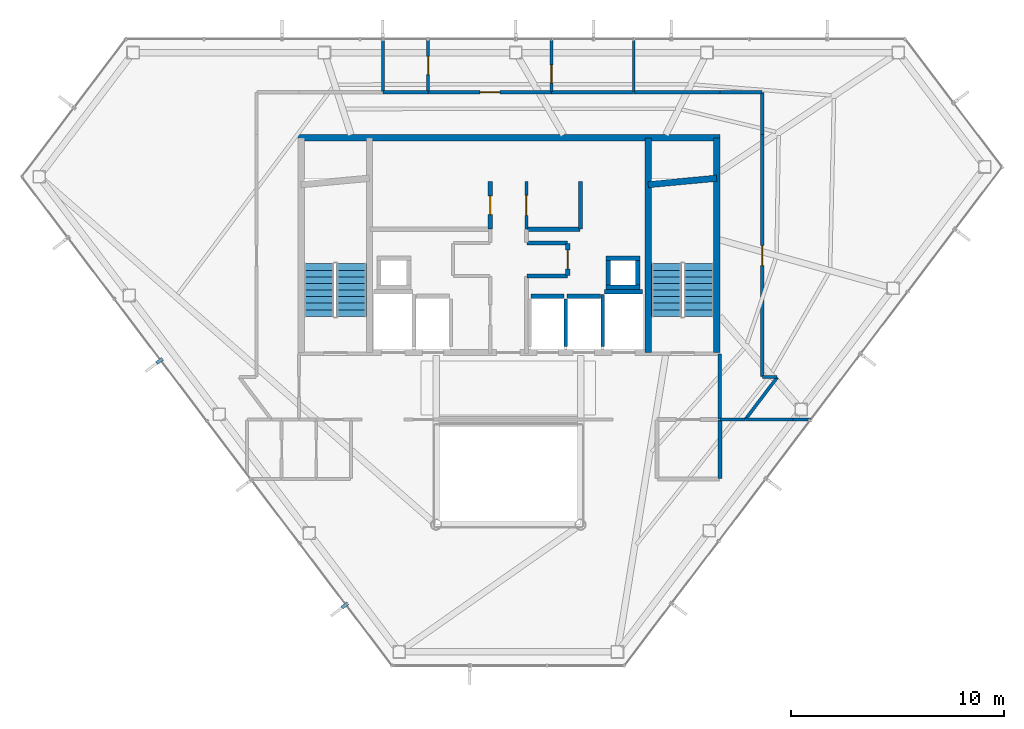
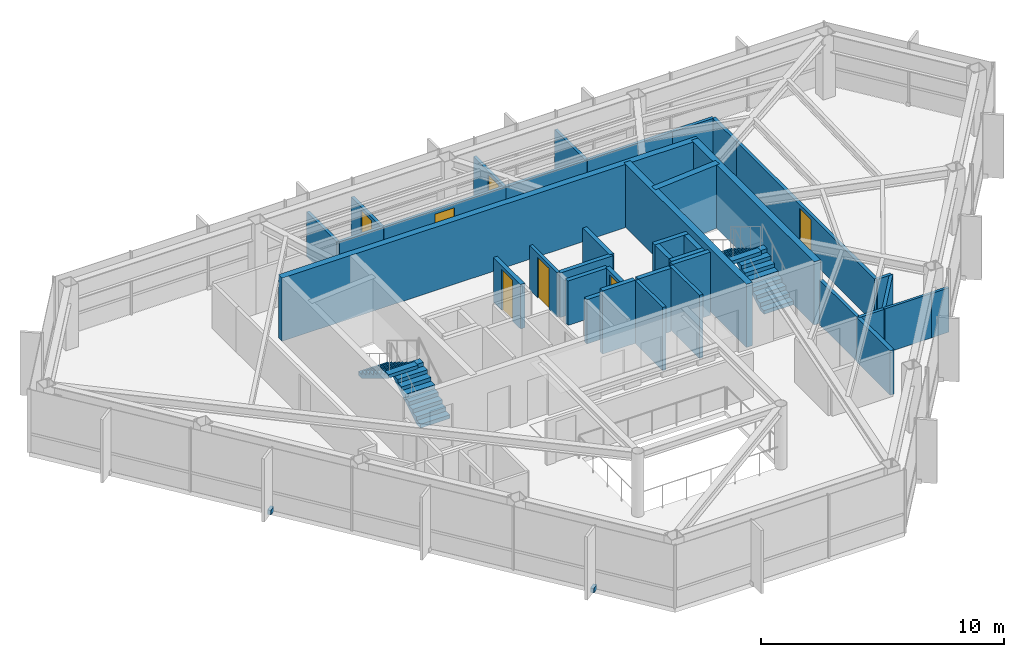
# One storey, part 23 of 25: 38 walls, 7 doors, 4 stair flights, 2 discrete accessories, 7 openings, 2 elements without a shape of their own.
"""IFC4 building model written with IfcOpenShell, lengths in metres."""

from ifc_helpers import new_model, si_unit, direction, frame, frame_2d, origin, origin_2d, place, context, subcontext, project, spatial, polyline, rectangle, outline, extrude, material, layer, layer_set, type_object, element, fill, aggregate, save


model = new_model("IFC4")

# Units and contexts
model_context = context("Model", 3, precision=1e-05, world=origin(), true_north=direction((0.0, 1.0)))
body_context = subcontext(model_context, "Body", "Model", "MODEL_VIEW")
ifc_project = project(units=[si_unit("LENGTHUNIT", "METRE"), si_unit("AREAUNIT", "SQUARE_METRE"), si_unit("VOLUMEUNIT", "CUBIC_METRE"), si_unit("PLANEANGLEUNIT", "RADIAN"), si_unit("MASSUNIT", "GRAM", prefix="KILO")], contexts=[model_context])

# Site, building, storey
site_placement = place(None, origin())
site = spatial("IfcSite", under=ifc_project, at=site_placement, CompositionType="ELEMENT")
building_placement = place(site_placement, origin())
building = spatial("IfcBuilding", under=site, at=building_placement, Name="Zarrinselat Tower", CompositionType="ELEMENT")
storey_placement = place(building_placement, frame((0.0, 0.0, 239.360107421875)))
storey = spatial("IfcBuildingStorey", under=building, at=storey_placement, Name="L60", CompositionType="ELEMENT", Elevation=239.360107421875)

# Wall
ifc_material_1 = material(Name="Concrete C40/50", Category="concrete")
ifc_layer_1 = layer(ifc_material_1, 0.18994140625)
ifc_layer_set_1 = layer_set([ifc_layer_1], Name="Concrete C40/50")
wall_type_1 = type_object("IfcWallType", Name="WAL-PART-EI120", PredefinedType="PARTITIONING", material=ifc_layer_set_1)
wall_1_placement = place(storey_placement, frame((48.35009765625, 27.3701171875, 0.0), z_axis=(0.0, 0.0, 1.0), x_axis=(0.0, 1.0, 0.0)))
element("IfcWall", 1, at=wall_1_placement, inside=storey, type_object=wall_type_1, Name="L60 Partition Wall 25", PredefinedType="PARTITIONING", context=body_context, shape_type="SweptSolid", body=[
    extrude(rectangle(XDim=2.759765625, YDim=0.18994140625, at=frame_2d((1.3798828125, 0.0))), origin(), (0.0, 0.0, 1.0), 2.23486328125),
])

# Wall, opening, door
ifc_material_2 = material(Name="Fire-Rated Gypsum Board Partition", Category="gypsum")
ifc_layer_2 = layer(ifc_material_2, 0.14990234375)
ifc_layer_set_2 = layer_set([ifc_layer_2], Name="Fire-Rated Gypsum Board Partition")
wall_type_2 = type_object("IfcWallType", Name="WAL-PART-EI60", PredefinedType="PARTITIONING", material=ifc_layer_set_2)
wall_2_placement = place(storey_placement, frame((39.25, 39.10498046875, 0.0), z_axis=(0.0, 0.0, 1.0), x_axis=(0.0, 1.0, 0.0)))
wall_2 = element("IfcWall", 2, at=wall_2_placement, inside=storey, type_object=wall_type_2, Name="L60 Partition Wall 12", PredefinedType="PARTITIONING", context=body_context, shape_type="SweptSolid", body=[
    extrude(rectangle(XDim=2.2451171875, YDim=0.14990234375, at=frame_2d((1.12255859375, 0.0))), origin(), (0.0, 0.0, 1.0), 2.23486328125),
])
opening_1_placement = place(wall_2_placement, frame((0.652587890625, 0.0, 0.0)))
opening_1 = element("IfcOpeningElement", 3, at=opening_1_placement, cuts=wall_2, Name="Opening ID-04", PredefinedType="OPENING", context=body_context, shape_type="SweptSolid", body=[
    extrude(rectangle(XDim=0.93994140625, YDim=2.050048828125, at=frame_2d((0.469970703125, 1.02490234375))), frame((0.0, 0.0849609375, 0.0), z_axis=(0.0, -1.0, 0.0), x_axis=(1.0, 0.0, 0.0)), (0.0, 0.0, 1.0), 0.169921875),
])
ifc_material_3 = material(Name="Fire-Rated Gypsum Board Partition")
door_type_1 = type_object("IfcDoorType", Name="DR-INT-FD30-ENT", OperationType="NOTDEFINED", PredefinedType="DOOR", material=ifc_material_3)
door_1_placement = place(opening_1_placement, origin())
door_1 = element("IfcDoor", 4, at=door_1_placement, inside=storey, type_object=door_type_1, Name="L60 Interior Door P12", OperationType="SINGLE_SWING_LEFT", OverallHeight=2.050048828125, OverallWidth=0.93994140625, PredefinedType="DOOR", context=body_context, shape_type="SweptSolid", body=[
    extrude(rectangle(XDim=0.93994140625, YDim=2.050048828125, at=frame_2d((0.469970703125, 1.02490234375))), frame((0.0, 0.02490234375, 0.0), z_axis=(0.0, -1.0, 0.0), x_axis=(1.0, 0.0, 0.0)), (0.0, 0.0, 1.0), 0.050048828125),
])
fill(opening_1, door_1)

# Walls
wall_3_placement = place(storey_placement, frame((48.35009765625, 30.169921875, 0.0), z_axis=(0.0, 0.0, 1.0), x_axis=(0.0, 1.0, 0.0)))
element("IfcWall", 5, at=wall_3_placement, inside=storey, type_object=wall_type_2, Name="L60 Partition Wall 18", PredefinedType="PARTITIONING", context=body_context, shape_type="SweptSolid", body=[
    extrude(rectangle(XDim=3.06005859375, YDim=0.14990234375, at=frame_2d((1.530029296875, 0.0))), origin(), (0.0, 0.0, 1.0), 2.23486328125),
])
wall_4_placement = place(storey_placement, frame((48.3701171875, 30.14990234375, 0.0), z_axis=(0.0, 0.0, 1.0), x_axis=(1.0, 0.0, 0.0)))
element("IfcWall", 6, at=wall_4_placement, inside=storey, type_object=wall_type_2, Name="L60 Partition Wall 28", PredefinedType="PARTITIONING", context=body_context, shape_type="SweptSolid", body=[
    extrude(rectangle(XDim=1.16015625, YDim=0.14990234375, at=frame_2d((0.580078125, 0.0))), origin(), (0.0, 0.0, 1.0), 2.23486328125),
])
wall_5_placement = place(storey_placement, frame((44.304931640625, 45.550048828125, 0.0), z_axis=(0.0, 0.0, 1.0), x_axis=(1.0, 0.0, 0.0)))
element("IfcWall", 7, at=wall_5_placement, inside=storey, type_object=wall_type_2, Name="L60 Partition Wall 35", PredefinedType="PARTITIONING", context=body_context, shape_type="SweptSolid", body=[
    extrude(rectangle(XDim=4.045166015625, YDim=0.14990234375, at=frame_2d((2.0224609375, 0.0))), origin(), (0.0, 0.0, 1.0), 2.23486328125),
])
for number, where, z_axis, x_axis, name in (
    (8, (48.35009765625, 45.550048828125, 0.0), (0.0, 0.0, 1.0), (1.0, 0.0, 0.0), "L60 Partition Wall 36"),
    (9, (50.35009765625, 43.550048828125, 0.0), (0.0, 0.0, 1.0), (0.0, 1.0, 0.0), "L60 Partition Wall 37"),
):
    element("IfcWall", number, at=place(storey_placement, frame(where, z_axis=z_axis, x_axis=x_axis)), inside=storey, type_object=wall_type_2, Name=name, PredefinedType="PARTITIONING", context=body_context, shape_type="SweptSolid", body=[
        extrude(rectangle(XDim=1.97998046875, YDim=0.14990234375, at=frame_2d((0.989990234375, 0.0))), origin(), (0.0, 0.0, 1.0), 2.23486328125),
    ])

# Wall, opening, door
wall_6_placement = place(storey_placement, frame((50.35009765625, 32.169921875, 0.0), z_axis=(0.0, 0.0, 1.0), x_axis=(0.0, 1.0, 0.0)))
wall_6 = element("IfcWall", 10, at=wall_6_placement, inside=storey, type_object=wall_type_2, Name="L60 Partition Wall 38", PredefinedType="PARTITIONING", context=body_context, shape_type="SweptSolid", body=[
    extrude(rectangle(XDim=11.380126953125, YDim=0.14990234375, at=frame_2d((5.68994140625, 0.0))), origin(), (0.0, 0.0, 1.0), 2.23486328125),
])
opening_2_placement = place(wall_6_placement, frame((5.219970703125, 0.0, 0.0)))
opening_2 = element("IfcOpeningElement", 11, at=opening_2_placement, cuts=wall_6, Name="Opening ID-04", PredefinedType="OPENING", context=body_context, shape_type="SweptSolid", body=[
    extrude(rectangle(XDim=0.93994140625, YDim=2.050048828125, at=frame_2d((0.469970703125, 1.02490234375))), frame((0.0, 0.0849609375, 0.0), z_axis=(0.0, -1.0, 0.0), x_axis=(1.0, 0.0, 0.0)), (0.0, 0.0, 1.0), 0.169921875),
])
door_2_placement = place(opening_2_placement, origin())
door_2 = element("IfcDoor", 12, at=door_2_placement, inside=storey, type_object=door_type_1, Name="L60 Interior Door P38", OperationType="SINGLE_SWING_LEFT", OverallHeight=2.050048828125, OverallWidth=0.93994140625, PredefinedType="DOOR", context=body_context, shape_type="SweptSolid", body=[
    extrude(rectangle(XDim=0.93994140625, YDim=2.050048828125, at=frame_2d((0.469970703125, 1.02490234375))), frame((0.0, 0.02490234375, 0.0), z_axis=(0.0, -1.0, 0.0), x_axis=(1.0, 0.0, 0.0)), (0.0, 0.0, 1.0), 0.050048828125),
])
fill(opening_2, door_2)

# Walls
wall_7_placement = place(storey_placement, frame((50.3701171875, 32.14990234375, 0.0), z_axis=(0.0, 0.0, 1.0), x_axis=(1.0, 0.0, 0.0)))
element("IfcWall", 13, at=wall_7_placement, inside=storey, type_object=wall_type_2, Name="L60 Partition Wall 39", PredefinedType="PARTITIONING", context=body_context, shape_type="SweptSolid", body=[
    extrude(rectangle(XDim=0.67529296875, YDim=0.14990234375, at=frame_2d((0.337646484375, 0.0))), origin(), (0.0, 0.0, 1.0), 2.23486328125),
])
wall_8_placement = place(storey_placement, frame((49.5625, 30.166015625, 0.0), z_axis=(0.0, 0.0, 1.0), x_axis=(0.603806281462, 0.797131089889, 0.0)))
element("IfcWall", 14, at=wall_8_placement, inside=storey, type_object=wall_type_2, Name="L60 Partition Wall 40", PredefinedType="PARTITIONING", context=body_context, shape_type="SweptSolid", body=[
    extrude(rectangle(XDim=2.468994140625, YDim=0.14990234375, at=frame_2d((1.234375, 0.0))), origin(), (0.0, 0.0, 1.0), 2.23486328125),
])

# Wall, opening, door
wall_9_placement = place(storey_placement, frame((34.62890625, 45.550048828125, 0.0), z_axis=(0.0, 0.0, 1.0), x_axis=(1.0, 0.0, 0.0)))
wall_9 = element("IfcWall", 15, at=wall_9_placement, inside=storey, type_object=wall_type_2, Name="L60 Partition Wall 41", PredefinedType="PARTITIONING", context=body_context, shape_type="SweptSolid", body=[
    extrude(rectangle(XDim=5.795654296875, YDim=0.14990234375, at=frame_2d((2.89794921875, 0.0))), origin(), (0.0, 0.0, 1.0), 2.23486328125),
])
opening_3_placement = place(wall_9_placement, frame((2.427734375, 0.0, 0.0)))
opening_3 = element("IfcOpeningElement", 16, at=opening_3_placement, cuts=wall_9, Name="Opening ID-04", PredefinedType="OPENING", context=body_context, shape_type="SweptSolid", body=[
    extrude(rectangle(XDim=0.93994140625, YDim=2.050048828125, at=frame_2d((0.469970703125, 1.02490234375))), frame((0.0, 0.0849609375, 0.0), z_axis=(0.0, -1.0, 0.0), x_axis=(1.0, 0.0, 0.0)), (0.0, 0.0, 1.0), 0.169921875),
])
door_3_placement = place(opening_3_placement, origin())
door_3 = element("IfcDoor", 17, at=door_3_placement, inside=storey, type_object=door_type_1, Name="L60 Interior Door P41", OperationType="SINGLE_SWING_RIGHT", OverallHeight=2.050048828125, OverallWidth=0.93994140625, PredefinedType="DOOR", context=body_context, shape_type="SweptSolid", body=[
    extrude(rectangle(XDim=0.93994140625, YDim=2.050048828125, at=frame_2d((0.469970703125, 1.02490234375))), frame((0.0, 0.02490234375, 0.0), z_axis=(0.0, -1.0, 0.0), x_axis=(1.0, 0.0, 0.0)), (0.0, 0.0, 1.0), 0.050048828125),
])
fill(opening_3, door_3)

# Walls
wall_10_placement = place(storey_placement, frame((40.4345703125, 45.550048828125, 0.0), z_axis=(0.0, 0.0, 1.0), x_axis=(1.0, 0.0, 0.0)))
element("IfcWall", 18, at=wall_10_placement, inside=storey, type_object=wall_type_2, Name="L60 Partition Wall 42", PredefinedType="PARTITIONING", context=body_context, shape_type="SweptSolid", body=[
    extrude(rectangle(XDim=3.8603515625, YDim=0.14990234375, at=frame_2d((1.93017578125, 0.0))), origin(), (0.0, 0.0, 1.0), 2.23486328125),
])
wall_11_placement = place(storey_placement, frame((32.5048828125, 45.550048828125, 0.0), z_axis=(0.0, 0.0, 1.0), x_axis=(1.0, 0.0, 0.0)))
element("IfcWall", 19, at=wall_11_placement, inside=storey, type_object=wall_type_2, Name="L60 Partition Wall 43", PredefinedType="PARTITIONING", context=body_context, shape_type="SweptSolid", body=[
    extrude(rectangle(XDim=2.114013671875, YDim=0.14990234375, at=frame_2d((1.05712890625, 0.0))), origin(), (0.0, 0.0, 1.0), 2.23486328125),
])

# Wall, opening, door
ifc_material_4 = material(Name="Concrete C40/50", Category="concrete")
ifc_layer_3 = layer(ifc_material_4, 0.199951171875)
ifc_layer_set_3 = layer_set([ifc_layer_3], Name="Concrete C40/50")
wall_type_3 = type_object("IfcWallType", Name="WAL-PART-PLANT", PredefinedType="PARTITIONING", material=ifc_layer_set_3)
wall_12_placement = place(storey_placement, frame((37.550048828125, 39.10498046875, 0.0), z_axis=(0.0, 0.0, 1.0), x_axis=(0.0, 1.0, 0.0)))
wall_12 = element("IfcWall", 20, at=wall_12_placement, inside=storey, type_object=wall_type_3, Name="L60 Partition Wall 6", PredefinedType="PARTITIONING", context=body_context, shape_type="SweptSolid", body=[
    extrude(rectangle(XDim=2.2451171875, YDim=0.199951171875, at=frame_2d((1.12255859375, 0.0))), origin(), (0.0, 0.0, 1.0), 2.23486328125),
])
opening_4_placement = place(wall_12_placement, frame((0.6826171875, 0.0, 0.0)))
opening_4 = element("IfcOpeningElement", 21, at=opening_4_placement, cuts=wall_12, Name="Opening ID-03", PredefinedType="OPENING", context=body_context, shape_type="SweptSolid", body=[
    extrude(rectangle(XDim=0.8798828125, YDim=2.050048828125, at=frame_2d((0.43994140625, 1.02490234375))), frame((0.0, 0.10986328125, 0.0), z_axis=(0.0, -1.0, 0.0), x_axis=(1.0, 0.0, 0.0)), (0.0, 0.0, 1.0), 0.219970703125),
])
ifc_material_5 = material(Name="Steel S355J2", Category="steel")
door_type_2 = type_object("IfcDoorType", Name="DR-INT-FD60-S", OperationType="NOTDEFINED", PredefinedType="DOOR", material=ifc_material_5)
door_4_placement = place(opening_4_placement, origin())
door_4 = element("IfcDoor", 22, at=door_4_placement, inside=storey, type_object=door_type_2, Name="L60 Interior Door P6", OperationType="SINGLE_SWING_LEFT", OverallHeight=2.050048828125, OverallWidth=0.8798828125, PredefinedType="DOOR", context=body_context, shape_type="SweptSolid", body=[
    extrude(rectangle(XDim=0.8798828125, YDim=2.050048828125, at=frame_2d((0.43994140625, 1.02490234375))), frame((0.0, 0.02490234375, 0.0), z_axis=(0.0, -1.0, 0.0), x_axis=(1.0, 0.0, 0.0)), (0.0, 0.0, 1.0), 0.050048828125),
])
fill(opening_4, door_4)

# Wall
wall_13_placement = place(storey_placement, frame((39.27001953125, 38.449951171875, 0.0), z_axis=(0.0, 0.0, 1.0), x_axis=(1.0, 0.0, 0.0)))
element("IfcWall", 23, at=wall_13_placement, inside=storey, type_object=wall_type_3, Name="L60 Partition Wall 8", PredefinedType="PARTITIONING", context=body_context, shape_type="SweptSolid", body=[
    extrude(rectangle(XDim=1.909912109375, YDim=0.199951171875, at=frame_2d((0.955078125, 0.0))), origin(), (0.0, 0.0, 1.0), 2.23486328125),
])

# Wall, opening, door
wall_14_placement = place(storey_placement, frame((41.199951171875, 36.919921875, 0.0), z_axis=(0.0, 0.0, 1.0), x_axis=(0.0, 1.0, 0.0)))
wall_14 = element("IfcWall", 24, at=wall_14_placement, inside=storey, type_object=wall_type_3, Name="L60 Partition Wall 9", PredefinedType="PARTITIONING", context=body_context, shape_type="SweptSolid", body=[
    extrude(rectangle(XDim=1.510009765625, YDim=0.199951171875, at=frame_2d((0.7548828125, 0.0))), origin(), (0.0, 0.0, 1.0), 2.23486328125),
])
opening_5_placement = place(wall_14_placement, frame((0.31494140625, 0.0, 0.0)))
opening_5 = element("IfcOpeningElement", 25, at=opening_5_placement, cuts=wall_14, Name="Opening ID-03", PredefinedType="OPENING", context=body_context, shape_type="SweptSolid", body=[
    extrude(rectangle(XDim=0.8798828125, YDim=2.050048828125, at=frame_2d((0.43994140625, 1.02490234375))), frame((0.0, 0.10986328125, 0.0), z_axis=(0.0, -1.0, 0.0), x_axis=(1.0, 0.0, 0.0)), (0.0, 0.0, 1.0), 0.219970703125),
])
door_5_placement = place(opening_5_placement, origin())
door_5 = element("IfcDoor", 26, at=door_5_placement, inside=storey, type_object=door_type_2, Name="L60 Interior Door P9", OperationType="SINGLE_SWING_RIGHT", OverallHeight=2.050048828125, OverallWidth=0.8798828125, PredefinedType="DOOR", context=body_context, shape_type="SweptSolid", body=[
    extrude(rectangle(XDim=0.8798828125, YDim=2.050048828125, at=frame_2d((0.43994140625, 1.02490234375))), frame((0.0, 0.02490234375, 0.0), z_axis=(0.0, -1.0, 0.0), x_axis=(1.0, 0.0, 0.0)), (0.0, 0.0, 1.0), 0.050048828125),
])
fill(opening_5, door_5)

# Walls
wall_15_placement = place(storey_placement, frame((39.27001953125, 36.89990234375, 0.0), z_axis=(0.0, 0.0, 1.0), x_axis=(1.0, 0.0, 0.0)))
element("IfcWall", 27, at=wall_15_placement, inside=storey, type_object=wall_type_3, Name="L60 Partition Wall 10", PredefinedType="PARTITIONING", context=body_context, shape_type="SweptSolid", body=[
    extrude(rectangle(XDim=1.909912109375, YDim=0.199951171875, at=frame_2d((0.955078125, 0.0))), origin(), (0.0, 0.0, 1.0), 2.23486328125),
])
wall_16_placement = place(storey_placement, frame((39.27001953125, 39.10009765625, 0.0), z_axis=(0.0, 0.0, 1.0), x_axis=(1.0, 0.0, 0.0)))
element("IfcWall", 28, at=wall_16_placement, inside=storey, type_object=wall_type_3, Name="L60 Partition Wall 14", PredefinedType="PARTITIONING", context=body_context, shape_type="SweptSolid", body=[
    extrude(rectangle(XDim=2.510009765625, YDim=0.199951171875, at=frame_2d((1.2548828125, 0.0))), origin(), (0.0, 0.0, 1.0), 2.23486328125),
])
wall_17_placement = place(storey_placement, frame((41.800048828125, 39.1201171875, 0.0), z_axis=(0.0, 0.0, 1.0), x_axis=(0.0, 1.0, 0.0)))
element("IfcWall", 29, at=wall_17_placement, inside=storey, type_object=wall_type_3, Name="L60 Partition Wall 15", PredefinedType="PARTITIONING", context=body_context, shape_type="SweptSolid", body=[
    extrude(rectangle(XDim=2.22998046875, YDim=0.199951171875, at=frame_2d((1.114990234375, 0.0))), origin(), (0.0, 0.0, 1.0), 2.23486328125),
])
ifc_material_6 = material(Name="Fire-Rated Gypsum Board Partition", Category="gypsum")
ifc_layer_4 = layer(ifc_material_6, 0.1201171875)
ifc_layer_set_4 = layer_set([ifc_layer_4], Name="Fire-Rated Gypsum Board Partition")
wall_type_4 = type_object("IfcWallType", Name="WAL-PART-STD", PredefinedType="PARTITIONING", material=ifc_layer_set_4)
wall_18_placement = place(storey_placement, frame((49.5703125, 30.14990234375, 0.0), z_axis=(0.0, 0.0, 1.0), x_axis=(1.0, 0.0, 0.0)))
element("IfcWall", 30, at=wall_18_placement, inside=storey, type_object=wall_type_4, Name="L60 Partition Wall 52", PredefinedType="PARTITIONING", context=body_context, shape_type="SweptSolid", body=[
    extrude(rectangle(XDim=2.229736328125, YDim=0.1201171875, at=frame_2d((1.11474609375, 0.0))), origin(), (0.0, 0.0, 1.0), 2.23486328125),
])
wall_19_placement = place(storey_placement, frame((51.800048828125, 30.14990234375, 0.0), z_axis=(0.0, 0.0, 1.0), x_axis=(1.0, 0.0, 0.0)))
element("IfcWall", 31, at=wall_19_placement, inside=storey, type_object=wall_type_4, Name="L60 Partition Wall 53", PredefinedType="PARTITIONING", context=body_context, shape_type="SweptSolid", body=[
    extrude(rectangle(XDim=0.821533203125, YDim=0.1201171875, at=frame_2d((0.41064453125, 0.0))), origin(), (0.0, 0.0, 1.0), 2.23486328125),
])
ifc_material_7 = material(Name="Fire-Rated Gypsum Board Partition", Category="gypsum")
ifc_layer_5 = layer(ifc_material_7, 0.135009765625)
ifc_layer_set_5 = layer_set([ifc_layer_5], Name="Fire-Rated Gypsum Board Partition")
wall_type_5 = type_object("IfcWallType", Name="WAL-PART-WET", PredefinedType="PARTITIONING", material=ifc_layer_set_5)
for number, where, z_axis, x_axis, name in (
    (32, (32.5, 45.570068359375, 0.0), (0.0, 0.0, 1.0), (0.0, 1.0, 0.0), "L60 Partition Wall 54"),
    (33, (44.300048828125, 45.570068359375, 0.0), (0.0, 0.0, 1.0), (0.0, 1.0, 0.0), "L60 Partition Wall 55"),
):
    element("IfcWall", number, at=place(storey_placement, frame(where, z_axis=z_axis, x_axis=x_axis)), inside=storey, type_object=wall_type_5, Name=name, PredefinedType="PARTITIONING", context=body_context, shape_type="SweptSolid", body=[
        extrude(rectangle(XDim=2.47607421875, YDim=0.135009765625, at=frame_2d((1.238037109375, 0.0))), origin(), (0.0, 0.0, 1.0), 2.23486328125),
    ])

# Wall, opening, door
wall_20_placement = place(storey_placement, frame((40.4296875, 45.570068359375, 0.0), z_axis=(0.0, 0.0, 1.0), x_axis=(0.0, 1.0, 0.0)))
wall_20 = element("IfcWall", 34, at=wall_20_placement, inside=storey, type_object=wall_type_5, Name="L60 Partition Wall 56", PredefinedType="PARTITIONING", context=body_context, shape_type="SweptSolid", body=[
    extrude(rectangle(XDim=2.47607421875, YDim=0.135009765625, at=frame_2d((1.238037109375, 0.0))), origin(), (0.0, 0.0, 1.0), 2.23486328125),
])
opening_6_placement = place(wall_20_placement, frame((0.408203125, 0.0, 0.0)))
opening_6 = element("IfcOpeningElement", 35, at=opening_6_placement, cuts=wall_20, Name="Opening ID-06", PredefinedType="OPENING", context=body_context, shape_type="SweptSolid", body=[
    extrude(rectangle(XDim=0.860107421875, YDim=2.050048828125, at=frame_2d((0.43017578125, 1.02490234375))), frame((0.0, 0.077392578125, 0.0), z_axis=(0.0, -1.0, 0.0), x_axis=(1.0, 0.0, 0.0)), (0.0, 0.0, 1.0), 0.155029296875),
])
ifc_material_8 = material(Name="Extruded Aluminium Alloy EN AW-6063 T6", Category="aluminium")
door_type_3 = type_object("IfcDoorType", Name="DR-INT-WET-900", OperationType="NOTDEFINED", PredefinedType="DOOR", material=ifc_material_8)
door_6_placement = place(opening_6_placement, origin())
door_6 = element("IfcDoor", 36, at=door_6_placement, inside=storey, type_object=door_type_3, Name="L60 Interior Door P56", OperationType="SINGLE_SWING_LEFT", OverallHeight=2.050048828125, OverallWidth=0.860107421875, PredefinedType="DOOR", context=body_context, shape_type="SweptSolid", body=[
    extrude(rectangle(XDim=0.860107421875, YDim=2.050048828125, at=frame_2d((0.43017578125, 1.02490234375))), frame((0.0, 0.02490234375, 0.0), z_axis=(0.0, -1.0, 0.0), x_axis=(1.0, 0.0, 0.0)), (0.0, 0.0, 1.0), 0.050048828125),
])
fill(opening_6, door_6)

wall_21_placement = place(storey_placement, frame((34.6240234375, 45.570068359375, 0.0), z_axis=(0.0, 0.0, 1.0), x_axis=(0.0, 1.0, 0.0)))
wall_21 = element("IfcWall", 37, at=wall_21_placement, inside=storey, type_object=wall_type_5, Name="L60 Partition Wall 57", PredefinedType="PARTITIONING", context=body_context, shape_type="SweptSolid", body=[
    extrude(rectangle(XDim=2.47607421875, YDim=0.135009765625, at=frame_2d((1.238037109375, 0.0))), origin(), (0.0, 0.0, 1.0), 2.23486328125),
])
opening_7_placement = place(wall_21_placement, frame((0.80810546875, 0.0, 0.0)))
opening_7 = element("IfcOpeningElement", 38, at=opening_7_placement, cuts=wall_21, Name="Opening ID-06", PredefinedType="OPENING", context=body_context, shape_type="SweptSolid", body=[
    extrude(rectangle(XDim=0.860107421875, YDim=2.050048828125, at=frame_2d((0.43017578125, 1.02490234375))), frame((0.0, 0.077392578125, 0.0), z_axis=(0.0, -1.0, 0.0), x_axis=(1.0, 0.0, 0.0)), (0.0, 0.0, 1.0), 0.155029296875),
])
door_7_placement = place(opening_7_placement, origin())
door_7 = element("IfcDoor", 39, at=door_7_placement, inside=storey, type_object=door_type_3, Name="L60 Interior Door P57", OperationType="SINGLE_SWING_RIGHT", OverallHeight=2.050048828125, OverallWidth=0.860107421875, PredefinedType="DOOR", context=body_context, shape_type="SweptSolid", body=[
    extrude(rectangle(XDim=0.860107421875, YDim=2.050048828125, at=frame_2d((0.43017578125, 1.02490234375))), frame((0.0, 0.02490234375, 0.0), z_axis=(0.0, -1.0, 0.0), x_axis=(1.0, 0.0, 0.0)), (0.0, 0.0, 1.0), 0.050048828125),
])
fill(opening_7, door_7)

# Walls
ifc_material_9 = material(Name="Concrete C40/50", Category="concrete")
ifc_layer_6 = layer(ifc_material_9, 0.2099609375)
ifc_layer_set_6 = layer_set([ifc_layer_6], Name="Concrete C40/50")
wall_type_6 = type_object("IfcWallType", Name="WAL-SHAFT-210", PredefinedType="SOLIDWALL", material=ifc_layer_set_6)
wall_22_placement = place(storey_placement, frame((42.919921875, 36.155029296875, 0.0), z_axis=(0.0, 0.0, 1.0), x_axis=(1.0, 0.0, 0.0)))
element("IfcWall", 40, at=wall_22_placement, inside=storey, type_object=wall_type_6, Name="L60 Lift FFL2 North Shaft Wall", PredefinedType="SOLIDWALL", context=body_context, shape_type="SweptSolid", body=[
    extrude(rectangle(XDim=1.800048828125, YDim=0.2099609375, at=frame_2d((0.89990234375, 0.0))), origin(), (0.0, 0.0, 1.0), 3.179931640625),
])
wall_23_placement = place(storey_placement, frame((42.85009765625, 33.580078125, 0.0), z_axis=(0.0, 0.0, 1.0), x_axis=(0.0, 1.0, 0.0)))
element("IfcWall", 41, at=wall_23_placement, inside=storey, type_object=wall_type_6, Name="L60 Lift FFL2 W Shaft Wall", PredefinedType="SOLIDWALL", context=body_context, shape_type="SweptSolid", body=[
    extrude(rectangle(XDim=2.449951171875, YDim=0.159912109375, at=frame_2d((1.22509765625, 0.0))), origin(), (0.0, 0.0, 1.0), 3.179931640625),
])
wall_24_placement = place(storey_placement, frame((39.469970703125, 35.955078125, 0.0), z_axis=(0.0, 0.0, 1.0), x_axis=(1.0, 0.0, 0.0)))
element("IfcWall", 42, at=wall_24_placement, inside=storey, type_object=wall_type_6, Name="L60 Lift PL8 North Shaft Wall", PredefinedType="SOLIDWALL", context=body_context, shape_type="SweptSolid", body=[
    extrude(rectangle(XDim=1.56005859375, YDim=0.2099609375, at=frame_2d((0.780029296875, 0.0))), origin(), (0.0, 0.0, 1.0), 3.179931640625),
])
wall_25_placement = place(storey_placement, frame((41.10009765625, 33.580078125, 0.0), z_axis=(0.0, 0.0, 1.0), x_axis=(0.0, 1.0, 0.0)))
element("IfcWall", 43, at=wall_25_placement, inside=storey, type_object=wall_type_6, Name="L60 Lift PL8 E Shaft Wall", PredefinedType="SOLIDWALL", context=body_context, shape_type="SweptSolid", body=[
    extrude(rectangle(XDim=2.25, YDim=0.159912109375, at=frame_2d((1.125, 0.0))), origin(), (0.0, 0.0, 1.0), 3.179931640625),
])
wall_26_placement = place(storey_placement, frame((41.169921875, 35.955078125, 0.0), z_axis=(0.0, 0.0, 1.0), x_axis=(1.0, 0.0, 0.0)))
element("IfcWall", 44, at=wall_26_placement, inside=storey, type_object=wall_type_6, Name="L60 Lift PL9 North Shaft Wall", PredefinedType="SOLIDWALL", context=body_context, shape_type="SweptSolid", body=[
    extrude(rectangle(XDim=1.56005859375, YDim=0.2099609375, at=frame_2d((0.780029296875, 0.0))), origin(), (0.0, 0.0, 1.0), 3.179931640625),
])
for number, where, z_axis, x_axis, name in (
    (45, (42.989990234375, 36.375, 0.0), (0.0, 0.0, 1.0), (1.0, 0.0, 0.0), "L60 Core Riser RSR-E S Shaft Wall"),
    (46, (42.989990234375, 37.7451171875, 0.0), (0.0, 0.0, 1.0), (1.0, 0.0, 0.0), "L60 Core Riser RSR-E N Shaft Wall"),
):
    element("IfcWall", number, at=place(storey_placement, frame(where, z_axis=z_axis, x_axis=x_axis)), inside=storey, type_object=wall_type_6, Name=name, PredefinedType="SOLIDWALL", context=body_context, shape_type="SweptSolid", body=[
        extrude(rectangle(XDim=1.60009765625, YDim=0.2099609375, at=frame_2d((0.800048828125, 0.0))), origin(), (0.0, 0.0, 1.0), 3.179931640625),
    ])
for number, where, z_axis, x_axis, name in (
    (47, (43.094970703125, 36.485107421875, 0.0), (0.0, 0.0, 1.0), (0.0, 1.0, 0.0), "L60 Core Riser RSR-E W Shaft Wall"),
    (48, (44.485107421875, 36.485107421875, 0.0), (0.0, 0.0, 1.0), (0.0, 1.0, 0.0), "L60 Core Riser RSR-E E Shaft Wall"),
):
    element("IfcWall", number, at=place(storey_placement, frame(where, z_axis=z_axis, x_axis=x_axis)), inside=storey, type_object=wall_type_6, Name=name, PredefinedType="SOLIDWALL", context=body_context, shape_type="SweptSolid", body=[
        extrude(rectangle(XDim=1.14990234375, YDim=0.2099609375, at=frame_2d((0.574951171875, 0.0))), origin(), (0.0, 0.0, 1.0), 3.179931640625),
    ])
ifc_material_10 = material(Name="Concrete C40/50", Category="concrete")
ifc_layer_7 = layer(ifc_material_10, 0.300048828125)
ifc_layer_set_7 = layer_set([ifc_layer_7], Name="Concrete C40/50")
wall_type_7 = type_object("IfcWallType", Name="WAL-SHEAR-300", PredefinedType="SHEAR", material=ifc_layer_set_7)
wall_27_placement = place(storey_placement, frame((28.5, 43.39990234375, 0.0), z_axis=(0.0, 0.0, 1.0), x_axis=(1.0, 0.0, 0.0)))
element("IfcWall", 49, at=wall_27_placement, inside=storey, type_object=wall_type_7, Name="L60 North Core Shear Wall", PredefinedType="SHEAR", context=body_context, shape_type="SweptSolid", body=[
    extrude(rectangle(XDim=19.860107421875, YDim=0.300048828125, at=frame_2d((9.93017578125, 0.0))), origin(), (0.0, 0.0, 1.0), 3.179931640625),
])
for number, where, z_axis, x_axis, name in (
    (50, (44.989990234375, 33.300048828125, 0.0), (0.0, 0.0, 1.0), (0.0, 1.0, 0.0), "L60 Core Shear Wall ST2W"),
    (51, (48.2099609375, 33.300048828125, 0.0), (0.0, 0.0, 1.0), (0.0, 1.0, 0.0), "L60 Core Shear Wall E"),
):
    element("IfcWall", number, at=place(storey_placement, frame(where, z_axis=z_axis, x_axis=x_axis)), inside=storey, type_object=wall_type_7, Name=name, PredefinedType="SHEAR", context=body_context, shape_type="SweptSolid", body=[
        extrude(rectangle(XDim=10.099853515625, YDim=0.300048828125, at=frame_2d((5.0498046875, 0.0))), origin(), (0.0, 0.0, 1.0), 3.179931640625),
    ])
wall_28_placement = place(storey_placement, frame((44.97998046875, 41.199951171875, 0.0), z_axis=(0.0, 0.0, 1.0), x_axis=(0.995686468965, 0.09278176286, 0.0)))
element("IfcWall", 52, at=wall_28_placement, inside=storey, type_object=wall_type_7, Name="L60 Stair 2 North Shaft Wall", PredefinedType="SHEAR", context=body_context, shape_type="SweptSolid", body=[
    extrude(rectangle(XDim=3.23388671875, YDim=0.300048828125, at=frame_2d((1.616943359375, 0.0))), origin(), (0.0, 0.0, 1.0), 3.179931640625),
])

# Stair, stair flights
ifc_material_11 = material(Name="Concrete C40/50", Category="concrete")
stair_type = type_object("IfcStairType", Name="STR-CORE-155", PredefinedType="HALF_TURN_STAIR", material=ifc_material_11)
stair_1_placement = place(storey_placement, origin())
stair_1 = element("IfcStair", 53, at=stair_1_placement, inside=storey, type_object=stair_type, Name="L60 Core Exit Stair 1", PredefinedType="HALF_TURN_STAIR")
ifc_material_12 = material(Name="Concrete C40/50", Category="concrete")
stair_flight_type = type_object("IfcStairFlightType", Name="STR-FLT-155", PredefinedType="STRAIGHT", material=ifc_material_12)
stair_flight_1_placement = place(storey_placement, frame((31.02001953125, 35.0, 0.0), z_axis=(0.0, 0.0, 1.0), x_axis=(0.0, 1.0, 0.0)))
stair_flight_1 = element("IfcStairFlight", 54, at=stair_flight_1_placement, type_object=stair_flight_type, Name="ST-1 flight 1", NumberOfRisers=9, NumberOfTreads=8, PredefinedType="STRAIGHT", RiserHeight=0.188888889, TreadLength=0.31, context=body_context, shape_type="SweptSolid", body=[
    extrude(outline(polyline([(0.0, 0.0), (0.0, 0.18896484375), (0.31005859375, 0.18896484375), (0.31005859375, 0.377685546875), (0.6201171875, 0.377685546875), (0.6201171875, 0.566650390625), (0.929931640625, 0.566650390625), (0.929931640625, 0.755615234375), (1.239990234375, 0.755615234375), (1.239990234375, 0.9443359375), (1.550048828125, 0.9443359375), (1.550048828125, 1.13330078125), (1.860107421875, 1.13330078125), (1.860107421875, 1.322265625), (2.169921875, 1.322265625), (2.169921875, 1.51123046875), (2.47998046875, 1.51123046875), (2.47998046875, 1.699951171875), (2.47998046875, 1.335693359375), (0.2880859375, 0.0), (0.0, 0.0)])), frame((0.0, 0.699951171875, 0.0), z_axis=(0.0, -1.0, 0.0), x_axis=(1.0, 0.0, 0.0)), (0.0, 0.0, 1.0), 1.39990234375),
])
stair_flight_2_placement = place(storey_placement, frame((29.5, 37.47998046875, 1.699951171875), z_axis=(0.0, 0.0, 1.0), x_axis=(0.0, -1.0, 0.0)))
stair_flight_2 = element("IfcStairFlight", 55, at=stair_flight_2_placement, type_object=stair_flight_type, Name="ST-1 flight 2", NumberOfRisers=9, NumberOfTreads=8, PredefinedType="STRAIGHT", RiserHeight=0.188888889, TreadLength=0.31, context=body_context, shape_type="SweptSolid", body=[
    extrude(outline(polyline([(0.0, 0.0), (0.0, 0.18896484375), (0.31005859375, 0.18896484375), (0.31005859375, 0.377685546875), (0.6201171875, 0.377685546875), (0.6201171875, 0.566650390625), (0.929931640625, 0.566650390625), (0.929931640625, 0.755615234375), (1.239990234375, 0.755615234375), (1.239990234375, 0.9443359375), (1.550048828125, 0.9443359375), (1.550048828125, 1.13330078125), (1.860107421875, 1.13330078125), (1.860107421875, 1.322265625), (2.169921875, 1.322265625), (2.169921875, 1.51123046875), (2.47998046875, 1.51123046875), (2.47998046875, 1.699951171875), (2.47998046875, 1.335693359375), (0.2880859375, 0.0), (0.0, 0.0)])), frame((0.0, 0.699951171875, 0.0), z_axis=(0.0, -1.0, 0.0), x_axis=(1.0, 0.0, 0.0)), (0.0, 0.0, 1.0), 1.39990234375),
])
aggregate(stair_1, [stair_flight_1, stair_flight_2])

stair_2_placement = place(storey_placement, origin())
stair_2 = element("IfcStair", 56, at=stair_2_placement, inside=storey, type_object=stair_type, Name="L60 Core Exit Stair 2", PredefinedType="HALF_TURN_STAIR")
stair_flight_3_placement = place(storey_placement, frame((47.360107421875, 35.0, 0.0), z_axis=(0.0, 0.0, 1.0), x_axis=(0.0, 1.0, 0.0)))
stair_flight_3 = element("IfcStairFlight", 57, at=stair_flight_3_placement, type_object=stair_flight_type, Name="ST-2 flight 1", NumberOfRisers=9, NumberOfTreads=8, PredefinedType="STRAIGHT", RiserHeight=0.188888889, TreadLength=0.31, context=body_context, shape_type="SweptSolid", body=[
    extrude(outline(polyline([(0.0, 0.0), (0.0, 0.18896484375), (0.31005859375, 0.18896484375), (0.31005859375, 0.377685546875), (0.6201171875, 0.377685546875), (0.6201171875, 0.566650390625), (0.929931640625, 0.566650390625), (0.929931640625, 0.755615234375), (1.239990234375, 0.755615234375), (1.239990234375, 0.9443359375), (1.550048828125, 0.9443359375), (1.550048828125, 1.13330078125), (1.860107421875, 1.13330078125), (1.860107421875, 1.322265625), (2.169921875, 1.322265625), (2.169921875, 1.51123046875), (2.47998046875, 1.51123046875), (2.47998046875, 1.699951171875), (2.47998046875, 1.335693359375), (0.2880859375, 0.0), (0.0, 0.0)])), frame((0.0, 0.699951171875, 0.0), z_axis=(0.0, -1.0, 0.0), x_axis=(1.0, 0.0, 0.0)), (0.0, 0.0, 1.0), 1.39990234375),
])
stair_flight_4_placement = place(storey_placement, frame((45.840087890625, 37.47998046875, 1.699951171875), z_axis=(0.0, 0.0, 1.0), x_axis=(0.0, -1.0, 0.0)))
stair_flight_4 = element("IfcStairFlight", 58, at=stair_flight_4_placement, type_object=stair_flight_type, Name="ST-2 flight 2", NumberOfRisers=9, NumberOfTreads=8, PredefinedType="STRAIGHT", RiserHeight=0.188888889, TreadLength=0.31, context=body_context, shape_type="SweptSolid", body=[
    extrude(outline(polyline([(0.0, 0.0), (0.0, 0.18896484375), (0.31005859375, 0.18896484375), (0.31005859375, 0.377685546875), (0.6201171875, 0.377685546875), (0.6201171875, 0.566650390625), (0.929931640625, 0.566650390625), (0.929931640625, 0.755615234375), (1.239990234375, 0.755615234375), (1.239990234375, 0.9443359375), (1.550048828125, 0.9443359375), (1.550048828125, 1.13330078125), (1.860107421875, 1.13330078125), (1.860107421875, 1.322265625), (2.169921875, 1.322265625), (2.169921875, 1.51123046875), (2.47998046875, 1.51123046875), (2.47998046875, 1.699951171875), (2.47998046875, 1.335693359375), (0.2880859375, 0.0), (0.0, 0.0)])), frame((0.0, 0.699951171875, 0.0), z_axis=(0.0, -1.0, 0.0), x_axis=(1.0, 0.0, 0.0)), (0.0, 0.0, 1.0), 1.39990234375),
])
aggregate(stair_2, [stair_flight_3, stair_flight_4])

# Discrete accessories
ifc_material_13 = material(Name="Steel S355J2", Category="steel")
discrete_accessory_type = type_object("IfcDiscreteAccessoryType", Name="ACC-FIN-BRACKET", PredefinedType="BRACKET", material=ifc_material_13)
for number, where, z_axis, x_axis, name in (
    (59, (21.98974609375, 32.903564453125, -0.05029296875), (0.0, 0.0, 1.0), (-0.797091996588, -0.603857888062, 0.0), "L60 Fin Fixing Bracket CW-L60-E03-03"),
    (60, (30.706787109375, 21.39697265625, -0.05029296875), (0.0, 0.0, 1.0), (-0.797091996588, -0.603857888062, 0.0), "L60 Fin Fixing Bracket CW-L60-E03-07"),
):
    element("IfcDiscreteAccessory", number, at=place(storey_placement, frame(where, z_axis=z_axis, x_axis=x_axis)), inside=storey, type_object=discrete_accessory_type, Name=name, PredefinedType="BRACKET", context=body_context, shape_type="SweptSolid", body=[
        extrude(rectangle(XDim=0.340087890625, YDim=0.159912109375, at=origin_2d()), origin(), (0.0, 0.0, 1.0), 0.219970703125),
    ])

save(model, "model.ifc")
